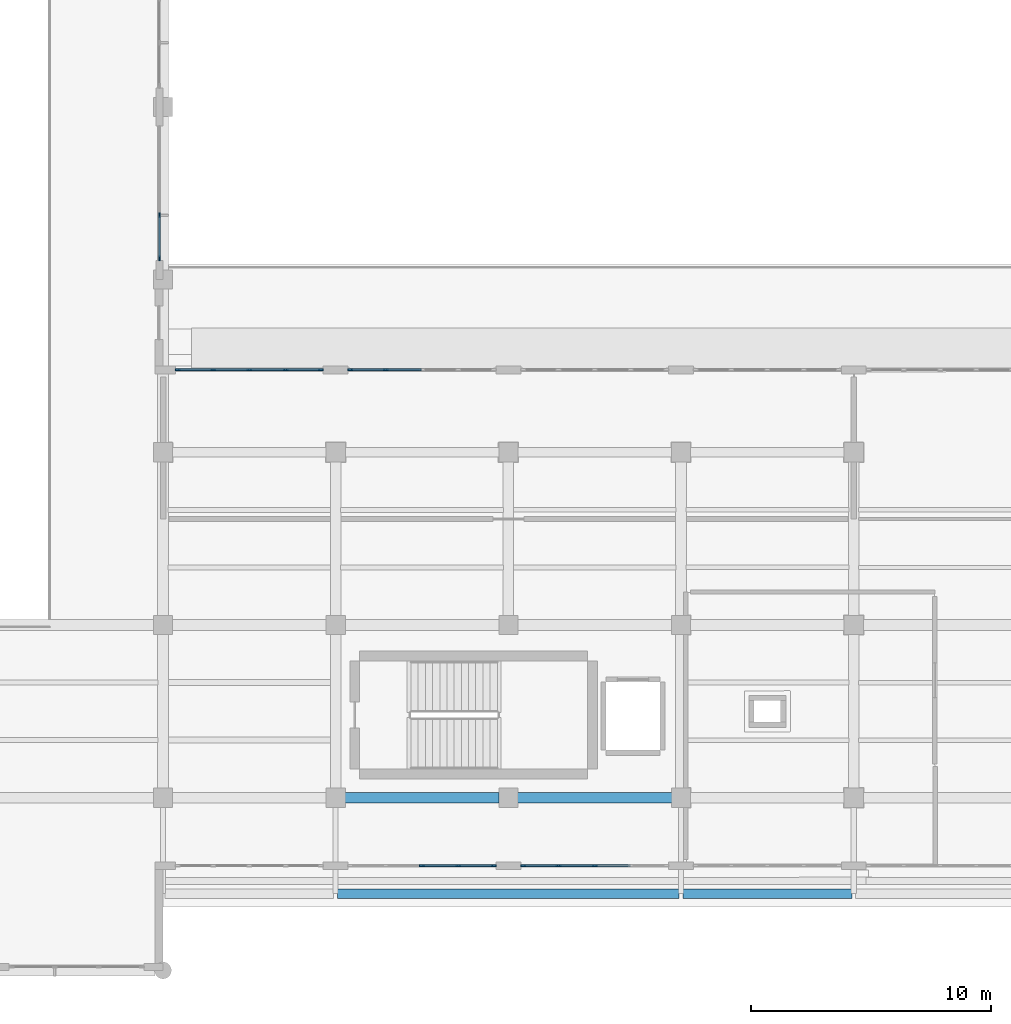
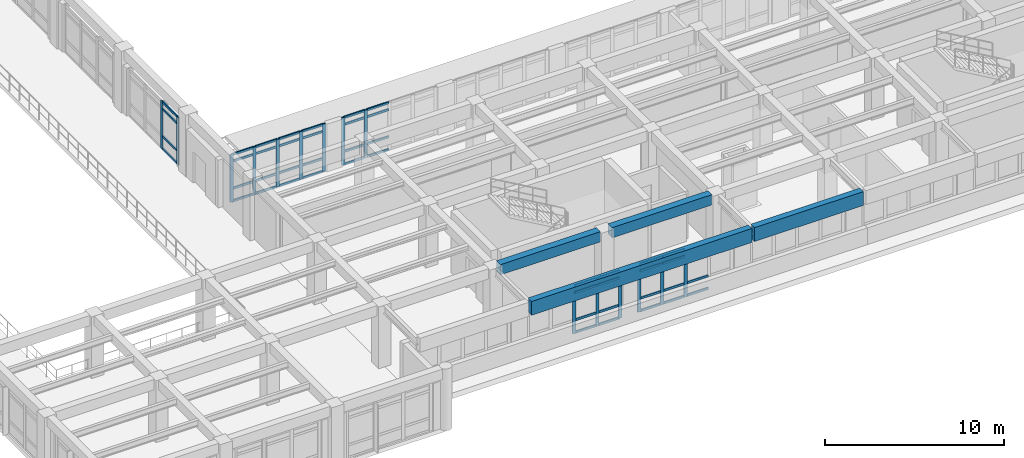
# One storey, part 5 of 67: 61 members, 4 beams, 5 elements without a shape of their own.
"""IFC4 building model written with IfcOpenShell, lengths in metres."""

from ifc_helpers import new_model, si_unit, direction, frame, origin, origin_2d, place, context, subcontext, project, spatial, rectangle, extrude, material, layer, layer_set, material_profile, profile_set, type_object, element, aggregate, save


model = new_model("IFC4")

# Units and contexts
model_context = context("Model", 3, precision=1e-05, world=origin(), true_north=direction((0.0, 1.0)))
body_context = subcontext(model_context, "Body", "Model", "MODEL_VIEW")
ifc_project = project(units=[si_unit("LENGTHUNIT", "METRE"), si_unit("AREAUNIT", "SQUARE_METRE"), si_unit("VOLUMEUNIT", "CUBIC_METRE"), si_unit("PLANEANGLEUNIT", "RADIAN"), si_unit("MASSUNIT", "GRAM", prefix="KILO")], contexts=[model_context])

# Site, building, storey
site_placement = place(None, origin())
site = spatial("IfcSite", under=ifc_project, at=site_placement, CompositionType="ELEMENT")
building_placement = place(site_placement, origin())
building = spatial("IfcBuilding", under=site, at=building_placement, Name="Solenvale Faculty of Natural Sciences", CompositionType="ELEMENT")
storey_placement = place(building_placement, frame((0.0, 0.0, 13.5)))
storey = spatial("IfcBuildingStorey", under=building, at=storey_placement, Name="L03", CompositionType="ELEMENT", Elevation=13.5)

# Beams
ifc_material_1 = material(Name="Concrete 40 MPa", Category="concrete")
ifc_material_profile_1 = material_profile(ifc_material_1, rectangle(XDim=0.449951171875, YDim=0.699951171875, at=origin_2d()), Name="RC-BM-450x700")
ifc_profile_set_1 = profile_set([ifc_material_profile_1], Name="Concrete 40 MPa")
beam_type_1 = type_object("IfcBeamType", Name="BM-RC-450x700", PredefinedType="BEAM", material=ifc_profile_set_1)
for number, where, z_axis, x_axis, name in (
    (1, (65.179931640625, 21.60009765625, 3.8701171875), (1.0, 0.0, 0.0), (0.0, 1.0, 0.0), "L03 X-Girder Y21.6 (64.8..72.0)"),
    (2, (72.3798828125, 21.60009765625, 3.8701171875), (1.0, 0.0, 0.0), (0.0, 1.0, 0.0), "L03 X-Girder Y21.6 (72.0..79.2)"),
):
    element("IfcBeam", number, at=place(storey_placement, frame(where, z_axis=z_axis, x_axis=x_axis)), inside=storey, type_object=beam_type_1, Name=name, PredefinedType="BEAM", context=body_context, shape_type="SweptSolid", body=[
        extrude(rectangle(XDim=0.449951171875, YDim=0.699951171875, at=origin_2d()), origin(), (0.0, 0.0, 1.0), 6.440185546875),
    ])
ifc_material_2 = material(Name="Architectural bronze concrete 40 MPa", Category="concrete")
ifc_material_profile_2 = material_profile(ifc_material_2, rectangle(XDim=0.39990234375, YDim=0.949951171875, at=origin_2d()), Name="RC-SPN-400x950")
ifc_profile_set_2 = profile_set([ifc_material_profile_2], Name="Architectural bronze concrete 40 MPa")
beam_type_2 = type_object("IfcBeamType", Name="BM-SPN-BRZ-950", PredefinedType="SPANDREL", material=ifc_profile_set_2)
beam_1_placement = place(storey_placement, frame((64.8798828125, 17.60009765625, 3.7451171875), z_axis=(1.0, 0.0, 0.0), x_axis=(0.0, 1.0, 0.0)))
element("IfcBeam", 3, at=beam_1_placement, inside=storey, type_object=beam_type_2, Name="L04 Sliding-Tray South Bronze Fascia 2", PredefinedType="SPANDREL", context=body_context, shape_type="SweptSolid", body=[
    extrude(rectangle(XDim=0.39990234375, YDim=0.949951171875, at=origin_2d()), origin(), (0.0, 0.0, 1.0), 14.240234375),
])
beam_2_placement = place(storey_placement, frame((79.280029296875, 17.60009765625, 3.7451171875), z_axis=(1.0, 0.0, 0.0), x_axis=(0.0, 1.0, 0.0)))
element("IfcBeam", 4, at=beam_2_placement, inside=storey, type_object=beam_type_2, Name="L04 Sliding-Tray South Bronze Fascia 3", PredefinedType="SPANDREL", context=body_context, shape_type="SweptSolid", body=[
    extrude(rectangle(XDim=0.39990234375, YDim=0.949951171875, at=origin_2d()), origin(), (0.0, 0.0, 1.0), 7.0400390625),
])

# Curtain wall, members
ifc_material_3 = material(Name="Anodised bronze aluminium", Category="aluminium")
ifc_layer_1 = layer(ifc_material_3, 0.215087890625)
ifc_layer_set_1 = layer_set([ifc_layer_1], Name="Anodised bronze aluminium")
curtain_wall_type_1 = type_object("IfcCurtainWallType", Name="CW-ATR-UNIT", PredefinedType="USERDEFINED", material=ifc_layer_set_1)
curtain_wall_1_placement = place(storey_placement, origin())
curtain_wall_1 = element("IfcCurtainWall", 5, at=curtain_wall_1_placement, inside=storey, type_object=curtain_wall_type_1, Name="L03 Curtain Wall CW-L03-P1-E1-B2", ObjectType="UNITISED CURTAIN WALL", PredefinedType="USERDEFINED")
ifc_material_profile_3 = material_profile(ifc_material_3, rectangle(XDim=0.074951171875, YDim=0.2099609375, at=origin_2d()), Name="ALU-MUL-75x210")
ifc_profile_set_3 = profile_set([ifc_material_profile_3], Name="Anodised bronze aluminium")
member_type_1 = type_object("IfcMemberType", Name="CWM-ALU-75x210", PredefinedType="MULLION", material=ifc_profile_set_3)
member_1_placement = place(storey_placement, frame((57.45751953125, 44.08740234375, 0.0), z_axis=(0.0, 0.0, 1.0), x_axis=(-1.0, 0.0, 0.0)))
member_1 = element("IfcMember", 6, at=member_1_placement, type_object=member_type_1, Name="CW-01 mullion 1", PredefinedType="MULLION", context=body_context, shape_type="SweptSolid", body=[
    extrude(rectangle(XDim=0.074951171875, YDim=0.2099609375, at=origin_2d()), origin(), (0.0, 0.0, 1.0), 3.260009765625),
])
member_2_placement = place(storey_placement, frame((57.45751953125, 45.88330078125, 0.0), z_axis=(0.0, 0.0, 1.0), x_axis=(-1.0, 0.0, 0.0)))
member_2 = element("IfcMember", 7, at=member_2_placement, type_object=member_type_1, Name="CW-01 mullion 2", PredefinedType="MULLION", context=body_context, shape_type="SweptSolid", body=[
    extrude(rectangle(XDim=0.074951171875, YDim=0.2099609375, at=origin_2d()), origin(), (0.0, 0.0, 1.0), 3.260009765625),
])

ifc_layer_2 = layer(ifc_material_3, 0.18994140625)
ifc_layer_set_2 = layer_set([ifc_layer_2], Name="Anodised bronze aluminium")
curtain_wall_type_2 = type_object("IfcCurtainWallType", Name="CW-TRAY-REC", PredefinedType="USERDEFINED", material=ifc_layer_set_2)
curtain_wall_2_placement = place(storey_placement, origin())
curtain_wall_2 = element("IfcCurtainWall", 8, at=curtain_wall_2_placement, inside=storey, type_object=curtain_wall_type_2, Name="L03 Curtain Wall CW-L03-P1-E6-B2", ObjectType="UNITISED CURTAIN WALL", PredefinedType="USERDEFINED")
member_3_placement = place(storey_placement, frame((68.39990234375, 18.762451171875, 0.0), z_axis=(0.0, 0.0, 1.0), x_axis=(0.0, 1.0, 0.0)))
member_3 = element("IfcMember", 9, at=member_3_placement, type_object=member_type_1, Name="CW-02 mullion 3", PredefinedType="MULLION", context=body_context, shape_type="SweptSolid", body=[
    extrude(rectangle(XDim=0.074951171875, YDim=0.2099609375, at=origin_2d()), origin(), (0.0, 0.0, 1.0), 3.260009765625),
])
member_4_placement = place(storey_placement, frame((69.909912109375, 18.762451171875, 0.0), z_axis=(0.0, 0.0, 1.0), x_axis=(0.0, 1.0, 0.0)))
member_4 = element("IfcMember", 10, at=member_4_placement, type_object=member_type_1, Name="CW-02 mullion 4", PredefinedType="MULLION", context=body_context, shape_type="SweptSolid", body=[
    extrude(rectangle(XDim=0.074951171875, YDim=0.2099609375, at=origin_2d()), origin(), (0.0, 0.0, 1.0), 3.260009765625),
])
member_5_placement = place(storey_placement, frame((71.382568359375, 18.762451171875, 0.0), z_axis=(0.0, 0.0, 1.0), x_axis=(0.0, 1.0, 0.0)))
member_5 = element("IfcMember", 11, at=member_5_placement, type_object=member_type_1, Name="CW-02 mullion 5", PredefinedType="MULLION", context=body_context, shape_type="SweptSolid", body=[
    extrude(rectangle(XDim=0.074951171875, YDim=0.2099609375, at=origin_2d()), origin(), (0.0, 0.0, 1.0), 3.260009765625),
])

curtain_wall_3_placement = place(storey_placement, origin())
curtain_wall_3 = element("IfcCurtainWall", 12, at=curtain_wall_3_placement, inside=storey, type_object=curtain_wall_type_2, Name="L03 Curtain Wall CW-L03-P1-E6-B3", ObjectType="UNITISED CURTAIN WALL", PredefinedType="USERDEFINED")
member_6_placement = place(storey_placement, frame((72.617431640625, 18.762451171875, 0.0), z_axis=(0.0, 0.0, 1.0), x_axis=(0.0, 1.0, 0.0)))
member_6 = element("IfcMember", 13, at=member_6_placement, type_object=member_type_1, Name="CW-02 mullion 1", PredefinedType="MULLION", context=body_context, shape_type="SweptSolid", body=[
    extrude(rectangle(XDim=0.074951171875, YDim=0.2099609375, at=origin_2d()), origin(), (0.0, 0.0, 1.0), 3.260009765625),
])
member_7_placement = place(storey_placement, frame((74.090087890625, 18.762451171875, 0.0), z_axis=(0.0, 0.0, 1.0), x_axis=(0.0, 1.0, 0.0)))
member_7 = element("IfcMember", 14, at=member_7_placement, type_object=member_type_1, Name="CW-02 mullion 2", PredefinedType="MULLION", context=body_context, shape_type="SweptSolid", body=[
    extrude(rectangle(XDim=0.074951171875, YDim=0.2099609375, at=origin_2d()), origin(), (0.0, 0.0, 1.0), 3.260009765625),
])
member_8_placement = place(storey_placement, frame((75.60009765625, 18.762451171875, 0.0), z_axis=(0.0, 0.0, 1.0), x_axis=(0.0, 1.0, 0.0)))
member_8 = element("IfcMember", 15, at=member_8_placement, type_object=member_type_1, Name="CW-02 mullion 3", PredefinedType="MULLION", context=body_context, shape_type="SweptSolid", body=[
    extrude(rectangle(XDim=0.074951171875, YDim=0.2099609375, at=origin_2d()), origin(), (0.0, 0.0, 1.0), 3.260009765625),
])

curtain_wall_4_placement = place(storey_placement, origin())
curtain_wall_4 = element("IfcCurtainWall", 16, at=curtain_wall_4_placement, inside=storey, type_object=curtain_wall_type_2, Name="L03 Curtain Wall CW-L03-P1-E8-B7", ObjectType="UNITISED CURTAIN WALL", PredefinedType="USERDEFINED")
member_9_placement = place(storey_placement, frame((66.889892578125, 39.4375, 0.0), z_axis=(0.0, 0.0, 1.0), x_axis=(0.0, -1.0, 0.0)))
member_9 = element("IfcMember", 17, at=member_9_placement, type_object=member_type_1, Name="CW-02 mullion 4", PredefinedType="MULLION", context=body_context, shape_type="SweptSolid", body=[
    extrude(rectangle(XDim=0.074951171875, YDim=0.2099609375, at=origin_2d()), origin(), (0.0, 0.0, 1.0), 3.260009765625),
])
member_10_placement = place(storey_placement, frame((65.41748046875, 39.4375, 0.0), z_axis=(0.0, 0.0, 1.0), x_axis=(0.0, -1.0, 0.0)))
member_10 = element("IfcMember", 18, at=member_10_placement, type_object=member_type_1, Name="CW-02 mullion 5", PredefinedType="MULLION", context=body_context, shape_type="SweptSolid", body=[
    extrude(rectangle(XDim=0.074951171875, YDim=0.2099609375, at=origin_2d()), origin(), (0.0, 0.0, 1.0), 3.260009765625),
])

curtain_wall_5_placement = place(storey_placement, origin())
curtain_wall_5 = element("IfcCurtainWall", 19, at=curtain_wall_5_placement, inside=storey, type_object=curtain_wall_type_2, Name="L03 Curtain Wall CW-L03-P1-E8-B8", ObjectType="UNITISED CURTAIN WALL", PredefinedType="USERDEFINED")
member_11_placement = place(storey_placement, frame((64.1826171875, 39.4375, 0.0), z_axis=(0.0, 0.0, 1.0), x_axis=(0.0, -1.0, 0.0)))
member_11 = element("IfcMember", 20, at=member_11_placement, type_object=member_type_1, Name="CW-02 mullion 1", PredefinedType="MULLION", context=body_context, shape_type="SweptSolid", body=[
    extrude(rectangle(XDim=0.074951171875, YDim=0.2099609375, at=origin_2d()), origin(), (0.0, 0.0, 1.0), 3.260009765625),
])
member_12_placement = place(storey_placement, frame((62.7099609375, 39.4375, 0.0), z_axis=(0.0, 0.0, 1.0), x_axis=(0.0, -1.0, 0.0)))
member_12 = element("IfcMember", 21, at=member_12_placement, type_object=member_type_1, Name="CW-02 mullion 2", PredefinedType="MULLION", context=body_context, shape_type="SweptSolid", body=[
    extrude(rectangle(XDim=0.074951171875, YDim=0.2099609375, at=origin_2d()), origin(), (0.0, 0.0, 1.0), 3.260009765625),
])
member_13_placement = place(storey_placement, frame((61.199951171875, 39.4375, 0.0), z_axis=(0.0, 0.0, 1.0), x_axis=(0.0, -1.0, 0.0)))
member_13 = element("IfcMember", 22, at=member_13_placement, type_object=member_type_1, Name="CW-02 mullion 3", PredefinedType="MULLION", context=body_context, shape_type="SweptSolid", body=[
    extrude(rectangle(XDim=0.074951171875, YDim=0.2099609375, at=origin_2d()), origin(), (0.0, 0.0, 1.0), 3.260009765625),
])
member_14_placement = place(storey_placement, frame((59.68994140625, 39.4375, 0.0), z_axis=(0.0, 0.0, 1.0), x_axis=(0.0, -1.0, 0.0)))
member_14 = element("IfcMember", 23, at=member_14_placement, type_object=member_type_1, Name="CW-02 mullion 4", PredefinedType="MULLION", context=body_context, shape_type="SweptSolid", body=[
    extrude(rectangle(XDim=0.074951171875, YDim=0.2099609375, at=origin_2d()), origin(), (0.0, 0.0, 1.0), 3.260009765625),
])
member_15_placement = place(storey_placement, frame((58.217529296875, 39.4375, 0.0), z_axis=(0.0, 0.0, 1.0), x_axis=(0.0, -1.0, 0.0)))
member_15 = element("IfcMember", 24, at=member_15_placement, type_object=member_type_1, Name="CW-02 mullion 5", PredefinedType="MULLION", context=body_context, shape_type="SweptSolid", body=[
    extrude(rectangle(XDim=0.074951171875, YDim=0.2099609375, at=origin_2d()), origin(), (0.0, 0.0, 1.0), 3.260009765625),
])

# Member
ifc_material_profile_4 = material_profile(ifc_material_3, rectangle(XDim=0.074951171875, YDim=0.155029296875, at=origin_2d()), Name="ALU-TRN-75x155")
ifc_profile_set_4 = profile_set([ifc_material_profile_4], Name="Anodised bronze aluminium")
member_type_2 = type_object("IfcMemberType", Name="CWT-ALU-75x155", PredefinedType="USERDEFINED", material=ifc_profile_set_4)
member_16_placement = place(storey_placement, frame((57.45751953125, 44.125, 0.03759765625), z_axis=(0.0, 1.0, 0.0), x_axis=(-1.0, 0.0, 0.0)))
member_16 = element("IfcMember", 25, at=member_16_placement, type_object=member_type_2, Name="CW-01 transom 1.1", ObjectType="TRANSOM", PredefinedType="USERDEFINED", context=body_context, shape_type="SweptSolid", body=[
    extrude(rectangle(XDim=0.074951171875, YDim=0.155029296875, at=origin_2d()), origin(), (0.0, 0.0, 1.0), 1.720947265625),
])

member_17_placement = place(storey_placement, frame((57.45751953125, 44.125, 0.89990234375), z_axis=(0.0, 1.0, 0.0), x_axis=(-1.0, 0.0, 0.0)))
member_17 = element("IfcMember", 26, at=member_17_placement, type_object=member_type_2, Name="CW-01 transom 1.2", ObjectType="TRANSOM", PredefinedType="USERDEFINED", context=body_context, shape_type="SweptSolid", body=[
    extrude(rectangle(XDim=0.074951171875, YDim=0.155029296875, at=origin_2d()), origin(), (0.0, 0.0, 1.0), 1.720947265625),
])

member_18_placement = place(storey_placement, frame((57.45751953125, 44.125, 2.760009765625), z_axis=(0.0, 1.0, 0.0), x_axis=(-1.0, 0.0, 0.0)))
member_18 = element("IfcMember", 27, at=member_18_placement, type_object=member_type_2, Name="CW-01 transom 1.3", ObjectType="TRANSOM", PredefinedType="USERDEFINED", context=body_context, shape_type="SweptSolid", body=[
    extrude(rectangle(XDim=0.074951171875, YDim=0.155029296875, at=origin_2d()), origin(), (0.0, 0.0, 1.0), 1.720947265625),
])

member_19_placement = place(storey_placement, frame((57.45751953125, 44.125, 3.222412109375), z_axis=(0.0, 1.0, 0.0), x_axis=(-1.0, 0.0, 0.0)))
member_19 = element("IfcMember", 28, at=member_19_placement, type_object=member_type_2, Name="CW-01 transom 1.4", ObjectType="TRANSOM", PredefinedType="USERDEFINED", context=body_context, shape_type="SweptSolid", body=[
    extrude(rectangle(XDim=0.074951171875, YDim=0.155029296875, at=origin_2d()), origin(), (0.0, 0.0, 1.0), 1.720947265625),
])

aggregate(curtain_wall_1, [member_1, member_2, member_16, member_17, member_18, member_19])

member_20_placement = place(storey_placement, frame((68.4375, 18.762451171875, 0.03759765625), z_axis=(1.0, 0.0, 0.0), x_axis=(0.0, 1.0, 0.0)))
member_20 = element("IfcMember", 29, at=member_20_placement, type_object=member_type_2, Name="CW-02 transom 3.1", ObjectType="TRANSOM", PredefinedType="USERDEFINED", context=body_context, shape_type="SweptSolid", body=[
    extrude(rectangle(XDim=0.074951171875, YDim=0.155029296875, at=origin_2d()), origin(), (0.0, 0.0, 1.0), 1.43505859375),
])

member_21_placement = place(storey_placement, frame((68.4375, 18.762451171875, 0.89990234375), z_axis=(1.0, 0.0, 0.0), x_axis=(0.0, 1.0, 0.0)))
member_21 = element("IfcMember", 30, at=member_21_placement, type_object=member_type_2, Name="CW-02 transom 3.2", ObjectType="TRANSOM", PredefinedType="USERDEFINED", context=body_context, shape_type="SweptSolid", body=[
    extrude(rectangle(XDim=0.074951171875, YDim=0.155029296875, at=origin_2d()), origin(), (0.0, 0.0, 1.0), 1.43505859375),
])

member_22_placement = place(storey_placement, frame((68.4375, 18.762451171875, 2.760009765625), z_axis=(1.0, 0.0, 0.0), x_axis=(0.0, 1.0, 0.0)))
member_22 = element("IfcMember", 31, at=member_22_placement, type_object=member_type_2, Name="CW-02 transom 3.3", ObjectType="TRANSOM", PredefinedType="USERDEFINED", context=body_context, shape_type="SweptSolid", body=[
    extrude(rectangle(XDim=0.074951171875, YDim=0.155029296875, at=origin_2d()), origin(), (0.0, 0.0, 1.0), 1.43505859375),
])

member_23_placement = place(storey_placement, frame((68.4375, 18.762451171875, 3.222412109375), z_axis=(1.0, 0.0, 0.0), x_axis=(0.0, 1.0, 0.0)))
member_23 = element("IfcMember", 32, at=member_23_placement, type_object=member_type_2, Name="CW-02 transom 3.4", ObjectType="TRANSOM", PredefinedType="USERDEFINED", context=body_context, shape_type="SweptSolid", body=[
    extrude(rectangle(XDim=0.074951171875, YDim=0.155029296875, at=origin_2d()), origin(), (0.0, 0.0, 1.0), 1.43505859375),
])

member_24_placement = place(storey_placement, frame((69.947509765625, 18.762451171875, 0.03759765625), z_axis=(1.0, 0.0, 0.0), x_axis=(0.0, 1.0, 0.0)))
member_24 = element("IfcMember", 33, at=member_24_placement, type_object=member_type_2, Name="CW-02 transom 4.1", ObjectType="TRANSOM", PredefinedType="USERDEFINED", context=body_context, shape_type="SweptSolid", body=[
    extrude(rectangle(XDim=0.074951171875, YDim=0.155029296875, at=origin_2d()), origin(), (0.0, 0.0, 1.0), 1.3974609375),
])

member_25_placement = place(storey_placement, frame((69.947509765625, 18.762451171875, 0.89990234375), z_axis=(1.0, 0.0, 0.0), x_axis=(0.0, 1.0, 0.0)))
member_25 = element("IfcMember", 34, at=member_25_placement, type_object=member_type_2, Name="CW-02 transom 4.2", ObjectType="TRANSOM", PredefinedType="USERDEFINED", context=body_context, shape_type="SweptSolid", body=[
    extrude(rectangle(XDim=0.074951171875, YDim=0.155029296875, at=origin_2d()), origin(), (0.0, 0.0, 1.0), 1.3974609375),
])

member_26_placement = place(storey_placement, frame((69.947509765625, 18.762451171875, 2.760009765625), z_axis=(1.0, 0.0, 0.0), x_axis=(0.0, 1.0, 0.0)))
member_26 = element("IfcMember", 35, at=member_26_placement, type_object=member_type_2, Name="CW-02 transom 4.3", ObjectType="TRANSOM", PredefinedType="USERDEFINED", context=body_context, shape_type="SweptSolid", body=[
    extrude(rectangle(XDim=0.074951171875, YDim=0.155029296875, at=origin_2d()), origin(), (0.0, 0.0, 1.0), 1.3974609375),
])

member_27_placement = place(storey_placement, frame((69.947509765625, 18.762451171875, 3.222412109375), z_axis=(1.0, 0.0, 0.0), x_axis=(0.0, 1.0, 0.0)))
member_27 = element("IfcMember", 36, at=member_27_placement, type_object=member_type_2, Name="CW-02 transom 4.4", ObjectType="TRANSOM", PredefinedType="USERDEFINED", context=body_context, shape_type="SweptSolid", body=[
    extrude(rectangle(XDim=0.074951171875, YDim=0.155029296875, at=origin_2d()), origin(), (0.0, 0.0, 1.0), 1.3974609375),
])

aggregate(curtain_wall_2, [member_3, member_4, member_5, member_20, member_21, member_22, member_23, member_24, member_25, member_26, member_27])

member_28_placement = place(storey_placement, frame((72.655029296875, 18.762451171875, 0.03759765625), z_axis=(1.0, 0.0, 0.0), x_axis=(0.0, 1.0, 0.0)))
member_28 = element("IfcMember", 37, at=member_28_placement, type_object=member_type_2, Name="CW-02 transom 1.1", ObjectType="TRANSOM", PredefinedType="USERDEFINED", context=body_context, shape_type="SweptSolid", body=[
    extrude(rectangle(XDim=0.074951171875, YDim=0.155029296875, at=origin_2d()), origin(), (0.0, 0.0, 1.0), 1.3974609375),
])

member_29_placement = place(storey_placement, frame((72.655029296875, 18.762451171875, 0.89990234375), z_axis=(1.0, 0.0, 0.0), x_axis=(0.0, 1.0, 0.0)))
member_29 = element("IfcMember", 38, at=member_29_placement, type_object=member_type_2, Name="CW-02 transom 1.2", ObjectType="TRANSOM", PredefinedType="USERDEFINED", context=body_context, shape_type="SweptSolid", body=[
    extrude(rectangle(XDim=0.074951171875, YDim=0.155029296875, at=origin_2d()), origin(), (0.0, 0.0, 1.0), 1.3974609375),
])

member_30_placement = place(storey_placement, frame((72.655029296875, 18.762451171875, 2.760009765625), z_axis=(1.0, 0.0, 0.0), x_axis=(0.0, 1.0, 0.0)))
member_30 = element("IfcMember", 39, at=member_30_placement, type_object=member_type_2, Name="CW-02 transom 1.3", ObjectType="TRANSOM", PredefinedType="USERDEFINED", context=body_context, shape_type="SweptSolid", body=[
    extrude(rectangle(XDim=0.074951171875, YDim=0.155029296875, at=origin_2d()), origin(), (0.0, 0.0, 1.0), 1.3974609375),
])

member_31_placement = place(storey_placement, frame((72.655029296875, 18.762451171875, 3.222412109375), z_axis=(1.0, 0.0, 0.0), x_axis=(0.0, 1.0, 0.0)))
member_31 = element("IfcMember", 40, at=member_31_placement, type_object=member_type_2, Name="CW-02 transom 1.4", ObjectType="TRANSOM", PredefinedType="USERDEFINED", context=body_context, shape_type="SweptSolid", body=[
    extrude(rectangle(XDim=0.074951171875, YDim=0.155029296875, at=origin_2d()), origin(), (0.0, 0.0, 1.0), 1.3974609375),
])

member_32_placement = place(storey_placement, frame((74.12744140625, 18.762451171875, 0.03759765625), z_axis=(1.0, 0.0, 0.0), x_axis=(0.0, 1.0, 0.0)))
member_32 = element("IfcMember", 41, at=member_32_placement, type_object=member_type_2, Name="CW-02 transom 2.1", ObjectType="TRANSOM", PredefinedType="USERDEFINED", context=body_context, shape_type="SweptSolid", body=[
    extrude(rectangle(XDim=0.074951171875, YDim=0.155029296875, at=origin_2d()), origin(), (0.0, 0.0, 1.0), 1.43505859375),
])

member_33_placement = place(storey_placement, frame((74.12744140625, 18.762451171875, 0.89990234375), z_axis=(1.0, 0.0, 0.0), x_axis=(0.0, 1.0, 0.0)))
member_33 = element("IfcMember", 42, at=member_33_placement, type_object=member_type_2, Name="CW-02 transom 2.2", ObjectType="TRANSOM", PredefinedType="USERDEFINED", context=body_context, shape_type="SweptSolid", body=[
    extrude(rectangle(XDim=0.074951171875, YDim=0.155029296875, at=origin_2d()), origin(), (0.0, 0.0, 1.0), 1.43505859375),
])

member_34_placement = place(storey_placement, frame((74.12744140625, 18.762451171875, 2.760009765625), z_axis=(1.0, 0.0, 0.0), x_axis=(0.0, 1.0, 0.0)))
member_34 = element("IfcMember", 43, at=member_34_placement, type_object=member_type_2, Name="CW-02 transom 2.3", ObjectType="TRANSOM", PredefinedType="USERDEFINED", context=body_context, shape_type="SweptSolid", body=[
    extrude(rectangle(XDim=0.074951171875, YDim=0.155029296875, at=origin_2d()), origin(), (0.0, 0.0, 1.0), 1.43505859375),
])

member_35_placement = place(storey_placement, frame((74.12744140625, 18.762451171875, 3.222412109375), z_axis=(1.0, 0.0, 0.0), x_axis=(0.0, 1.0, 0.0)))
member_35 = element("IfcMember", 44, at=member_35_placement, type_object=member_type_2, Name="CW-02 transom 2.4", ObjectType="TRANSOM", PredefinedType="USERDEFINED", context=body_context, shape_type="SweptSolid", body=[
    extrude(rectangle(XDim=0.074951171875, YDim=0.155029296875, at=origin_2d()), origin(), (0.0, 0.0, 1.0), 1.43505859375),
])

member_36_placement = place(storey_placement, frame((75.637451171875, 18.762451171875, 0.03759765625), z_axis=(1.0, 0.0, 0.0), x_axis=(0.0, 1.0, 0.0)))
member_36 = element("IfcMember", 45, at=member_36_placement, type_object=member_type_2, Name="CW-02 transom 3.1", ObjectType="TRANSOM", PredefinedType="USERDEFINED", context=body_context, shape_type="SweptSolid", body=[
    extrude(rectangle(XDim=0.074951171875, YDim=0.155029296875, at=origin_2d()), origin(), (0.0, 0.0, 1.0), 1.43505859375),
])

member_37_placement = place(storey_placement, frame((75.637451171875, 18.762451171875, 0.89990234375), z_axis=(1.0, 0.0, 0.0), x_axis=(0.0, 1.0, 0.0)))
member_37 = element("IfcMember", 46, at=member_37_placement, type_object=member_type_2, Name="CW-02 transom 3.2", ObjectType="TRANSOM", PredefinedType="USERDEFINED", context=body_context, shape_type="SweptSolid", body=[
    extrude(rectangle(XDim=0.074951171875, YDim=0.155029296875, at=origin_2d()), origin(), (0.0, 0.0, 1.0), 1.43505859375),
])

aggregate(curtain_wall_3, [member_6, member_7, member_8, member_28, member_29, member_30, member_31, member_32, member_33, member_34, member_35, member_36, member_37])

member_38_placement = place(storey_placement, frame((68.362548828125, 39.4375, 0.03759765625), z_axis=(-1.0, 0.0, 0.0), x_axis=(0.0, -1.0, 0.0)))
member_38 = element("IfcMember", 47, at=member_38_placement, type_object=member_type_2, Name="CW-02 transom 3.1", ObjectType="TRANSOM", PredefinedType="USERDEFINED", context=body_context, shape_type="SweptSolid", body=[
    extrude(rectangle(XDim=0.074951171875, YDim=0.155029296875, at=origin_2d()), origin(), (0.0, 0.0, 1.0), 1.43505859375),
])

member_39_placement = place(storey_placement, frame((68.362548828125, 39.4375, 0.89990234375), z_axis=(-1.0, 0.0, 0.0), x_axis=(0.0, -1.0, 0.0)))
member_39 = element("IfcMember", 48, at=member_39_placement, type_object=member_type_2, Name="CW-02 transom 3.2", ObjectType="TRANSOM", PredefinedType="USERDEFINED", context=body_context, shape_type="SweptSolid", body=[
    extrude(rectangle(XDim=0.074951171875, YDim=0.155029296875, at=origin_2d()), origin(), (0.0, 0.0, 1.0), 1.43505859375),
])

member_40_placement = place(storey_placement, frame((68.362548828125, 39.4375, 2.760009765625), z_axis=(-1.0, 0.0, 0.0), x_axis=(0.0, -1.0, 0.0)))
member_40 = element("IfcMember", 49, at=member_40_placement, type_object=member_type_2, Name="CW-02 transom 3.3", ObjectType="TRANSOM", PredefinedType="USERDEFINED", context=body_context, shape_type="SweptSolid", body=[
    extrude(rectangle(XDim=0.074951171875, YDim=0.155029296875, at=origin_2d()), origin(), (0.0, 0.0, 1.0), 1.43505859375),
])

member_41_placement = place(storey_placement, frame((68.362548828125, 39.4375, 3.222412109375), z_axis=(-1.0, 0.0, 0.0), x_axis=(0.0, -1.0, 0.0)))
member_41 = element("IfcMember", 50, at=member_41_placement, type_object=member_type_2, Name="CW-02 transom 3.4", ObjectType="TRANSOM", PredefinedType="USERDEFINED", context=body_context, shape_type="SweptSolid", body=[
    extrude(rectangle(XDim=0.074951171875, YDim=0.155029296875, at=origin_2d()), origin(), (0.0, 0.0, 1.0), 1.43505859375),
])

member_42_placement = place(storey_placement, frame((66.8525390625, 39.4375, 0.03759765625), z_axis=(-1.0, 0.0, 0.0), x_axis=(0.0, -1.0, 0.0)))
member_42 = element("IfcMember", 51, at=member_42_placement, type_object=member_type_2, Name="CW-02 transom 4.1", ObjectType="TRANSOM", PredefinedType="USERDEFINED", context=body_context, shape_type="SweptSolid", body=[
    extrude(rectangle(XDim=0.074951171875, YDim=0.155029296875, at=origin_2d()), origin(), (0.0, 0.0, 1.0), 1.3974609375),
])

member_43_placement = place(storey_placement, frame((66.8525390625, 39.4375, 0.89990234375), z_axis=(-1.0, 0.0, 0.0), x_axis=(0.0, -1.0, 0.0)))
member_43 = element("IfcMember", 52, at=member_43_placement, type_object=member_type_2, Name="CW-02 transom 4.2", ObjectType="TRANSOM", PredefinedType="USERDEFINED", context=body_context, shape_type="SweptSolid", body=[
    extrude(rectangle(XDim=0.074951171875, YDim=0.155029296875, at=origin_2d()), origin(), (0.0, 0.0, 1.0), 1.3974609375),
])

member_44_placement = place(storey_placement, frame((66.8525390625, 39.4375, 2.760009765625), z_axis=(-1.0, 0.0, 0.0), x_axis=(0.0, -1.0, 0.0)))
member_44 = element("IfcMember", 53, at=member_44_placement, type_object=member_type_2, Name="CW-02 transom 4.3", ObjectType="TRANSOM", PredefinedType="USERDEFINED", context=body_context, shape_type="SweptSolid", body=[
    extrude(rectangle(XDim=0.074951171875, YDim=0.155029296875, at=origin_2d()), origin(), (0.0, 0.0, 1.0), 1.3974609375),
])

member_45_placement = place(storey_placement, frame((66.8525390625, 39.4375, 3.222412109375), z_axis=(-1.0, 0.0, 0.0), x_axis=(0.0, -1.0, 0.0)))
member_45 = element("IfcMember", 54, at=member_45_placement, type_object=member_type_2, Name="CW-02 transom 4.4", ObjectType="TRANSOM", PredefinedType="USERDEFINED", context=body_context, shape_type="SweptSolid", body=[
    extrude(rectangle(XDim=0.074951171875, YDim=0.155029296875, at=origin_2d()), origin(), (0.0, 0.0, 1.0), 1.3974609375),
])

aggregate(curtain_wall_4, [member_9, member_10, member_38, member_39, member_40, member_41, member_42, member_43, member_44, member_45])

member_46_placement = place(storey_placement, frame((64.14501953125, 39.4375, 0.03759765625), z_axis=(-1.0, 0.0, 0.0), x_axis=(0.0, -1.0, 0.0)))
member_46 = element("IfcMember", 55, at=member_46_placement, type_object=member_type_2, Name="CW-02 transom 1.1", ObjectType="TRANSOM", PredefinedType="USERDEFINED", context=body_context, shape_type="SweptSolid", body=[
    extrude(rectangle(XDim=0.074951171875, YDim=0.155029296875, at=origin_2d()), origin(), (0.0, 0.0, 1.0), 1.3974609375),
])

member_47_placement = place(storey_placement, frame((64.14501953125, 39.4375, 0.89990234375), z_axis=(-1.0, 0.0, 0.0), x_axis=(0.0, -1.0, 0.0)))
member_47 = element("IfcMember", 56, at=member_47_placement, type_object=member_type_2, Name="CW-02 transom 1.2", ObjectType="TRANSOM", PredefinedType="USERDEFINED", context=body_context, shape_type="SweptSolid", body=[
    extrude(rectangle(XDim=0.074951171875, YDim=0.155029296875, at=origin_2d()), origin(), (0.0, 0.0, 1.0), 1.3974609375),
])

member_48_placement = place(storey_placement, frame((64.14501953125, 39.4375, 2.760009765625), z_axis=(-1.0, 0.0, 0.0), x_axis=(0.0, -1.0, 0.0)))
member_48 = element("IfcMember", 57, at=member_48_placement, type_object=member_type_2, Name="CW-02 transom 1.3", ObjectType="TRANSOM", PredefinedType="USERDEFINED", context=body_context, shape_type="SweptSolid", body=[
    extrude(rectangle(XDim=0.074951171875, YDim=0.155029296875, at=origin_2d()), origin(), (0.0, 0.0, 1.0), 1.3974609375),
])

member_49_placement = place(storey_placement, frame((64.14501953125, 39.4375, 3.222412109375), z_axis=(-1.0, 0.0, 0.0), x_axis=(0.0, -1.0, 0.0)))
member_49 = element("IfcMember", 58, at=member_49_placement, type_object=member_type_2, Name="CW-02 transom 1.4", ObjectType="TRANSOM", PredefinedType="USERDEFINED", context=body_context, shape_type="SweptSolid", body=[
    extrude(rectangle(XDim=0.074951171875, YDim=0.155029296875, at=origin_2d()), origin(), (0.0, 0.0, 1.0), 1.3974609375),
])

member_50_placement = place(storey_placement, frame((62.672607421875, 39.4375, 0.03759765625), z_axis=(-1.0, 0.0, 0.0), x_axis=(0.0, -1.0, 0.0)))
member_50 = element("IfcMember", 59, at=member_50_placement, type_object=member_type_2, Name="CW-02 transom 2.1", ObjectType="TRANSOM", PredefinedType="USERDEFINED", context=body_context, shape_type="SweptSolid", body=[
    extrude(rectangle(XDim=0.074951171875, YDim=0.155029296875, at=origin_2d()), origin(), (0.0, 0.0, 1.0), 1.43505859375),
])

member_51_placement = place(storey_placement, frame((62.672607421875, 39.4375, 0.89990234375), z_axis=(-1.0, 0.0, 0.0), x_axis=(0.0, -1.0, 0.0)))
member_51 = element("IfcMember", 60, at=member_51_placement, type_object=member_type_2, Name="CW-02 transom 2.2", ObjectType="TRANSOM", PredefinedType="USERDEFINED", context=body_context, shape_type="SweptSolid", body=[
    extrude(rectangle(XDim=0.074951171875, YDim=0.155029296875, at=origin_2d()), origin(), (0.0, 0.0, 1.0), 1.43505859375),
])

member_52_placement = place(storey_placement, frame((62.672607421875, 39.4375, 2.760009765625), z_axis=(-1.0, 0.0, 0.0), x_axis=(0.0, -1.0, 0.0)))
member_52 = element("IfcMember", 61, at=member_52_placement, type_object=member_type_2, Name="CW-02 transom 2.3", ObjectType="TRANSOM", PredefinedType="USERDEFINED", context=body_context, shape_type="SweptSolid", body=[
    extrude(rectangle(XDim=0.074951171875, YDim=0.155029296875, at=origin_2d()), origin(), (0.0, 0.0, 1.0), 1.43505859375),
])

member_53_placement = place(storey_placement, frame((62.672607421875, 39.4375, 3.222412109375), z_axis=(-1.0, 0.0, 0.0), x_axis=(0.0, -1.0, 0.0)))
member_53 = element("IfcMember", 62, at=member_53_placement, type_object=member_type_2, Name="CW-02 transom 2.4", ObjectType="TRANSOM", PredefinedType="USERDEFINED", context=body_context, shape_type="SweptSolid", body=[
    extrude(rectangle(XDim=0.074951171875, YDim=0.155029296875, at=origin_2d()), origin(), (0.0, 0.0, 1.0), 1.43505859375),
])

member_54_placement = place(storey_placement, frame((61.16259765625, 39.4375, 0.03759765625), z_axis=(-1.0, 0.0, 0.0), x_axis=(0.0, -1.0, 0.0)))
member_54 = element("IfcMember", 63, at=member_54_placement, type_object=member_type_2, Name="CW-02 transom 3.1", ObjectType="TRANSOM", PredefinedType="USERDEFINED", context=body_context, shape_type="SweptSolid", body=[
    extrude(rectangle(XDim=0.074951171875, YDim=0.155029296875, at=origin_2d()), origin(), (0.0, 0.0, 1.0), 1.43505859375),
])

member_55_placement = place(storey_placement, frame((61.16259765625, 39.4375, 0.89990234375), z_axis=(-1.0, 0.0, 0.0), x_axis=(0.0, -1.0, 0.0)))
member_55 = element("IfcMember", 64, at=member_55_placement, type_object=member_type_2, Name="CW-02 transom 3.2", ObjectType="TRANSOM", PredefinedType="USERDEFINED", context=body_context, shape_type="SweptSolid", body=[
    extrude(rectangle(XDim=0.074951171875, YDim=0.155029296875, at=origin_2d()), origin(), (0.0, 0.0, 1.0), 1.43505859375),
])

member_56_placement = place(storey_placement, frame((61.16259765625, 39.4375, 2.760009765625), z_axis=(-1.0, 0.0, 0.0), x_axis=(0.0, -1.0, 0.0)))
member_56 = element("IfcMember", 65, at=member_56_placement, type_object=member_type_2, Name="CW-02 transom 3.3", ObjectType="TRANSOM", PredefinedType="USERDEFINED", context=body_context, shape_type="SweptSolid", body=[
    extrude(rectangle(XDim=0.074951171875, YDim=0.155029296875, at=origin_2d()), origin(), (0.0, 0.0, 1.0), 1.43505859375),
])

member_57_placement = place(storey_placement, frame((61.16259765625, 39.4375, 3.222412109375), z_axis=(-1.0, 0.0, 0.0), x_axis=(0.0, -1.0, 0.0)))
member_57 = element("IfcMember", 66, at=member_57_placement, type_object=member_type_2, Name="CW-02 transom 3.4", ObjectType="TRANSOM", PredefinedType="USERDEFINED", context=body_context, shape_type="SweptSolid", body=[
    extrude(rectangle(XDim=0.074951171875, YDim=0.155029296875, at=origin_2d()), origin(), (0.0, 0.0, 1.0), 1.43505859375),
])

member_58_placement = place(storey_placement, frame((59.652587890625, 39.4375, 0.03759765625), z_axis=(-1.0, 0.0, 0.0), x_axis=(0.0, -1.0, 0.0)))
member_58 = element("IfcMember", 67, at=member_58_placement, type_object=member_type_2, Name="CW-02 transom 4.1", ObjectType="TRANSOM", PredefinedType="USERDEFINED", context=body_context, shape_type="SweptSolid", body=[
    extrude(rectangle(XDim=0.074951171875, YDim=0.155029296875, at=origin_2d()), origin(), (0.0, 0.0, 1.0), 1.397705078125),
])

member_59_placement = place(storey_placement, frame((59.652587890625, 39.4375, 0.89990234375), z_axis=(-1.0, 0.0, 0.0), x_axis=(0.0, -1.0, 0.0)))
member_59 = element("IfcMember", 68, at=member_59_placement, type_object=member_type_2, Name="CW-02 transom 4.2", ObjectType="TRANSOM", PredefinedType="USERDEFINED", context=body_context, shape_type="SweptSolid", body=[
    extrude(rectangle(XDim=0.074951171875, YDim=0.155029296875, at=origin_2d()), origin(), (0.0, 0.0, 1.0), 1.397705078125),
])

member_60_placement = place(storey_placement, frame((59.652587890625, 39.4375, 2.760009765625), z_axis=(-1.0, 0.0, 0.0), x_axis=(0.0, -1.0, 0.0)))
member_60 = element("IfcMember", 69, at=member_60_placement, type_object=member_type_2, Name="CW-02 transom 4.3", ObjectType="TRANSOM", PredefinedType="USERDEFINED", context=body_context, shape_type="SweptSolid", body=[
    extrude(rectangle(XDim=0.074951171875, YDim=0.155029296875, at=origin_2d()), origin(), (0.0, 0.0, 1.0), 1.397705078125),
])

member_61_placement = place(storey_placement, frame((59.652587890625, 39.4375, 3.222412109375), z_axis=(-1.0, 0.0, 0.0), x_axis=(0.0, -1.0, 0.0)))
member_61 = element("IfcMember", 70, at=member_61_placement, type_object=member_type_2, Name="CW-02 transom 4.4", ObjectType="TRANSOM", PredefinedType="USERDEFINED", context=body_context, shape_type="SweptSolid", body=[
    extrude(rectangle(XDim=0.074951171875, YDim=0.155029296875, at=origin_2d()), origin(), (0.0, 0.0, 1.0), 1.397705078125),
])

aggregate(curtain_wall_5, [member_11, member_12, member_13, member_14, member_15, member_46, member_47, member_48, member_49, member_50, member_51, member_52, member_53, member_54, member_55, member_56, member_57, member_58, member_59, member_60, member_61])

save(model, "model.ifc")
